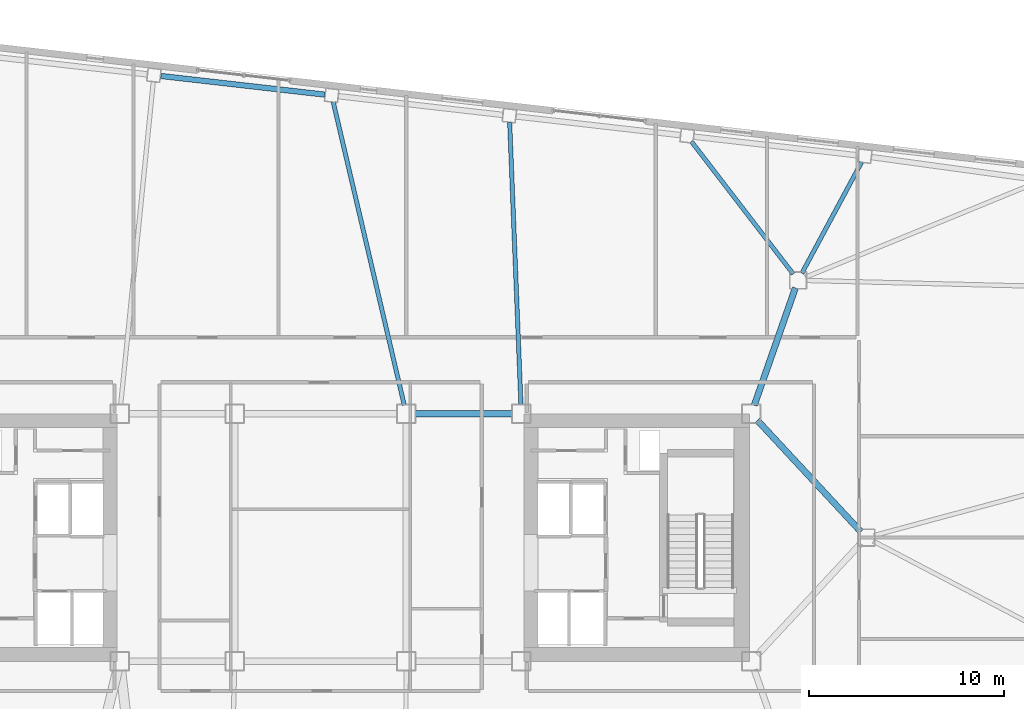
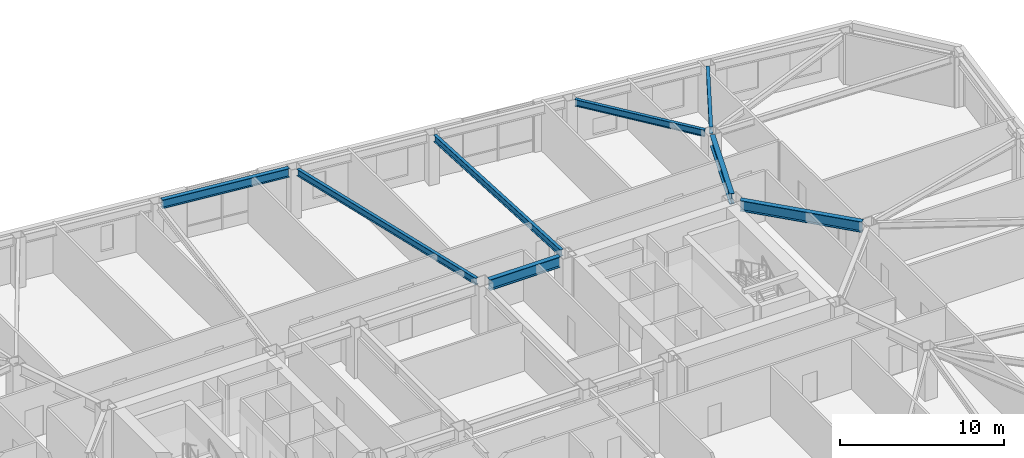
# One storey, part 8 of 22: 8 beams.
"""IFC4 building model written with IfcOpenShell, lengths in metres."""

from ifc_helpers import new_model, si_unit, direction, frame, origin, origin_2d, place, context, subcontext, project, spatial, i_section, extrude, material, material_profile, profile_set, type_object, element, save


model = new_model("IFC4")

# Units and contexts
model_context = context("Model", 3, precision=1e-05, world=origin(), true_north=direction((0.0, 1.0)))
body_context = subcontext(model_context, "Body", "Model", "MODEL_VIEW")
ifc_project = project(units=[si_unit("LENGTHUNIT", "METRE"), si_unit("AREAUNIT", "SQUARE_METRE"), si_unit("VOLUMEUNIT", "CUBIC_METRE"), si_unit("PLANEANGLEUNIT", "RADIAN"), si_unit("MASSUNIT", "GRAM", prefix="KILO")], contexts=[model_context])

# Site, building, storey
site_placement = place(None, origin())
site = spatial("IfcSite", under=ifc_project, at=site_placement, CompositionType="ELEMENT")
building_placement = place(site_placement, origin())
building = spatial("IfcBuilding", under=site, at=building_placement, Name="Tavrogorsk Clinical Tower", CompositionType="ELEMENT")
storey_placement = place(building_placement, frame((0.0, 0.0, 93.39990234375)))
storey = spatial("IfcBuildingStorey", under=building, at=storey_placement, Name="L20", CompositionType="ELEMENT", Elevation=93.39990234375)

# Beams
ifc_material_1 = material(Name="Structural steel S355", Category="steel")
ifc_material_profile_1 = material_profile(ifc_material_1, i_section(OverallWidth=0.219970703125, OverallDepth=0.5, WebThickness=0.012939453125, FlangeThickness=0.02001953125, at=origin_2d()), Name="B-500x220x13x20")
ifc_profile_set_1 = profile_set([ifc_material_profile_1], Name="Structural steel S355")
beam_type_1 = type_object("IfcBeamType", Name="FloorBeam_B500", PredefinedType="BEAM", material=ifc_profile_set_1)
beam_1_placement = place(storey_placement, frame((24.6943359375, 13.56103515625, 3.489990234375), z_axis=(0.473788919736, 0.880638438597, 0.0), x_axis=(-0.880638438597, 0.473788919736, 0.0)))
element("IfcBeam", 1, at=beam_1_placement, inside=storey, type_object=beam_type_1, Name="L20 Radial Floor Beam N2", PredefinedType="BEAM", context=body_context, shape_type="SweptSolid", body=[
    extrude(i_section(OverallWidth=0.219970703125, OverallDepth=0.5, WebThickness=0.012939453125, FlangeThickness=0.02001953125, at=origin_2d()), origin(), (0.0, 0.0, 1.0), 6.462890625),
])
beam_2_placement = place(storey_placement, frame((24.250244140625, 13.525146484375, 3.489990234375), z_axis=(-0.609376288757, 0.792881163038, 0.0), x_axis=(-0.792881163038, -0.609376288757, 0.0)))
element("IfcBeam", 2, at=beam_2_placement, inside=storey, type_object=beam_type_1, Name="L20 Radial Floor Beam N3", PredefinedType="BEAM", context=body_context, shape_type="SweptSolid", body=[
    extrude(i_section(OverallWidth=0.219970703125, OverallDepth=0.5, WebThickness=0.012939453125, FlangeThickness=0.02001953125, at=origin_2d()), origin(), (0.0, 0.0, 1.0), 8.5732421875),
])
beam_3_placement = place(storey_placement, frame((10.28173828125, 6.8095703125, 3.489990234375), z_axis=(-0.039881908424, 0.999204400201, 0.0), x_axis=(-0.999204400201, -0.039881908424, 0.0)))
element("IfcBeam", 3, at=beam_3_placement, inside=storey, type_object=beam_type_1, Name="L20 Radial Floor Beam N4", PredefinedType="BEAM", context=body_context, shape_type="SweptSolid", body=[
    extrude(i_section(OverallWidth=0.219970703125, OverallDepth=0.5, WebThickness=0.012939453125, FlangeThickness=0.02001953125, at=origin_2d()), origin(), (0.0, 0.0, 1.0), 14.48974609375),
])
beam_4_placement = place(storey_placement, frame((4.294921875, 6.7978515625, 3.489990234375), z_axis=(-0.228197667081, 0.973614823603, 0.0), x_axis=(-0.973614823603, -0.228197667081, 0.0)))
element("IfcBeam", 4, at=beam_4_placement, inside=storey, type_object=beam_type_1, Name="L20 Radial Floor Beam N5", PredefinedType="BEAM", context=body_context, shape_type="SweptSolid", body=[
    extrude(i_section(OverallWidth=0.219970703125, OverallDepth=0.5, WebThickness=0.012939453125, FlangeThickness=0.02001953125, at=origin_2d()), origin(), (0.0, 0.0, 1.0), 15.959228515625),
])
ifc_material_2 = material(Name="Structural steel S390", Category="steel")
ifc_material_profile_2 = material_profile(ifc_material_2, i_section(OverallWidth=0.320068359375, OverallDepth=0.800048828125, WebThickness=0.02001953125, FlangeThickness=0.033935546875, at=origin_2d()), Name="B-800x320x20x34")
ifc_profile_set_2 = profile_set([ifc_material_profile_2], Name="Structural steel S390")
beam_type_2 = type_object("IfcBeamType", Name="PrimaryGirder_B800", PredefinedType="USERDEFINED", material=ifc_profile_set_2)
beam_5_placement = place(storey_placement, frame((4.860107421875, 6.35009765625, 3.340087890625), z_axis=(1.0, 0.0, 0.0), x_axis=(0.0, 1.0, 0.0)))
element("IfcBeam", 5, at=beam_5_placement, inside=storey, type_object=beam_type_2, Name="L20 Primary Spine Girder MG-06", ObjectType="GIRDER", PredefinedType="USERDEFINED", context=body_context, shape_type="SweptSolid", body=[
    extrude(i_section(OverallWidth=0.320068359375, OverallDepth=0.800048828125, WebThickness=0.02001953125, FlangeThickness=0.033935546875, at=origin_2d()), origin(), (0.0, 0.0, 1.0), 4.97998046875),
])
beam_6_placement = place(storey_placement, frame((24.364501953125, 12.81298828125, 3.340087890625), z_axis=(-0.330660234815, -0.943749865755, 0.0), x_axis=(0.943749865755, -0.330660234815, 0.0)))
element("IfcBeam", 6, at=beam_6_placement, inside=storey, type_object=beam_type_2, Name="L20 Spine Link Girder OPG-4", ObjectType="GIRDER", PredefinedType="USERDEFINED", context=body_context, shape_type="SweptSolid", body=[
    extrude(i_section(OverallWidth=0.320068359375, OverallDepth=0.800048828125, WebThickness=0.02001953125, FlangeThickness=0.033935546875, at=origin_2d()), origin(), (0.0, 0.0, 1.0), 6.38818359375),
])
beam_7_placement = place(storey_placement, frame((27.720947265625, 0.30029296875, 3.340087890625), z_axis=(-0.680675630035, 0.732584934787, 0.0), x_axis=(-0.732584934787, -0.680675630035, 0.0)))
element("IfcBeam", 7, at=beam_7_placement, inside=storey, type_object=beam_type_2, Name="L20 Spine Link Girder OPG-8", ObjectType="GIRDER", PredefinedType="USERDEFINED", context=body_context, shape_type="SweptSolid", body=[
    extrude(i_section(OverallWidth=0.320068359375, OverallDepth=0.800048828125, WebThickness=0.02001953125, FlangeThickness=0.033935546875, at=origin_2d()), origin(), (0.0, 0.0, 1.0), 7.7978515625),
])
ifc_material_3 = material(Name="Structural steel S390", Category="steel")
ifc_material_profile_3 = material_profile(ifc_material_3, i_section(OverallWidth=0.280029296875, OverallDepth=0.64990234375, WebThickness=0.01611328125, FlangeThickness=0.02490234375, at=origin_2d()), Name="B-650x280x16x25")
ifc_profile_set_3 = profile_set([ifc_material_profile_3], Name="Structural steel S390")
beam_type_3 = type_object("IfcBeamType", Name="SpandrelBeam_B650", PredefinedType="SPANDREL", material=ifc_profile_set_3)
beam_8_placement = place(storey_placement, frame((0.2158203125, 22.724853515625, 3.4150390625), z_axis=(-0.993569819641, 0.113221082395, 0.0), x_axis=(-0.113221082395, -0.993569819641, 0.0)))
element("IfcBeam", 8, at=beam_8_placement, inside=storey, type_object=beam_type_3, Name="L20 Perimeter Spandrel N5-N6", PredefinedType="SPANDREL", context=body_context, shape_type="SweptSolid", body=[
    extrude(i_section(OverallWidth=0.280029296875, OverallDepth=0.64990234375, WebThickness=0.01611328125, FlangeThickness=0.02490234375, at=origin_2d()), origin(), (0.0, 0.0, 1.0), 8.46142578125),
])

save(model, "model.ifc")
